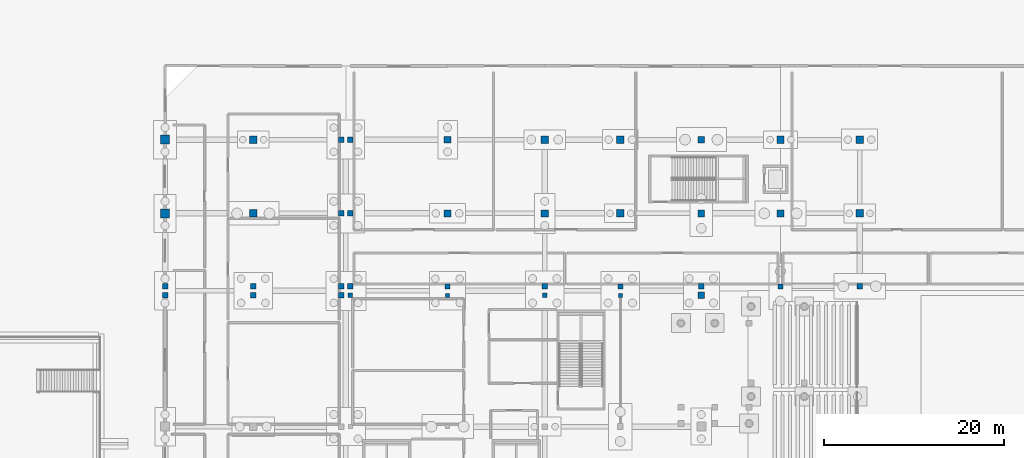
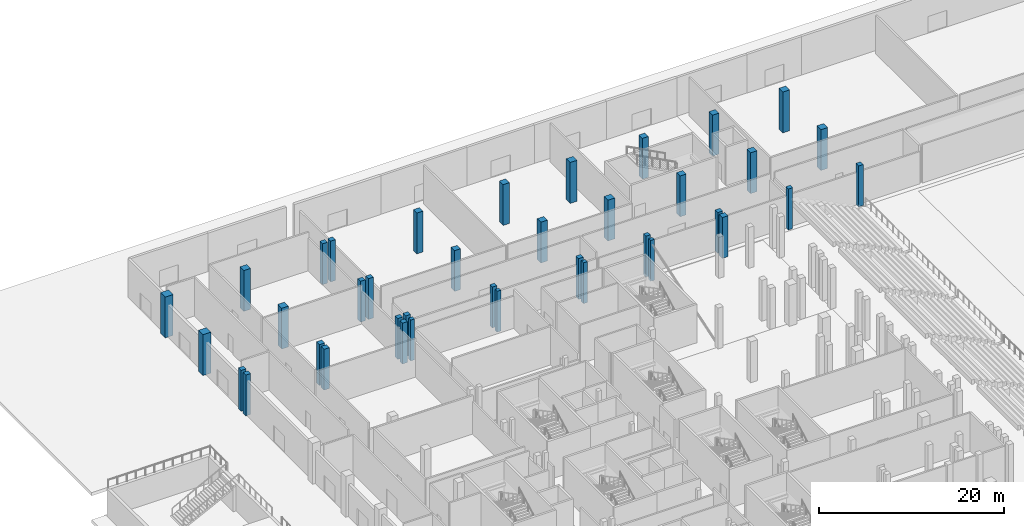
# One storey, part 18 of 89: 38 columns.
"""IFC4 building model written with IfcOpenShell, lengths in metres."""

from ifc_helpers import new_model, si_unit, direction, frame, origin, origin_2d, place, context, subcontext, project, spatial, rectangle, extrude, material, material_profile, profile_set, type_object, element, save


model = new_model("IFC4")

# Units and contexts
model_context = context("Model", 3, precision=1e-05, world=origin(), true_north=direction((0.0, 1.0)))
body_context = subcontext(model_context, "Body", "Model", "MODEL_VIEW")
ifc_project = project(units=[si_unit("LENGTHUNIT", "METRE"), si_unit("AREAUNIT", "SQUARE_METRE"), si_unit("VOLUMEUNIT", "CUBIC_METRE"), si_unit("PLANEANGLEUNIT", "RADIAN"), si_unit("MASSUNIT", "GRAM", prefix="KILO")], contexts=[model_context])

# Site, building, storey
site_placement = place(None, origin())
site = spatial("IfcSite", under=ifc_project, at=site_placement, CompositionType="ELEMENT")
building_placement = place(site_placement, origin())
building = spatial("IfcBuilding", under=site, at=building_placement, Name="Koshinbarg Plaza Stadium", CompositionType="ELEMENT")
storey_placement = place(building_placement, origin())
storey = spatial("IfcBuildingStorey", under=building, at=storey_placement, Name="L00", CompositionType="ELEMENT", Elevation=0.0)

# Columns
ifc_material = material(Name="Concrete C40/50", Category="concrete")
ifc_material_profile_1 = material_profile(ifc_material, rectangle(XDim=0.449951171875, YDim=0.449951171875, at=origin_2d()), Name="RC 450x450")
ifc_profile_set_1 = profile_set([ifc_material_profile_1], Name="Concrete C40/50")
column_type_1 = type_object("IfcColumnType", Name="COL-RC-01", PredefinedType="COLUMN", material=ifc_profile_set_1)
for number, where, z_axis, x_axis, name in (
    (1, (35.39990234375, 126.5, 0.0), (0.0, 0.0, 1.0), (1.0, 0.0, 0.0), "L00 column 6/R"),
    (2, (54.60009765625, 126.5, 0.0), (0.0, 0.0, 1.0), (1.0, 0.0, 0.0), "L00 column 8/R"),
):
    element("IfcColumn", number, at=place(storey_placement, frame(where, z_axis=z_axis, x_axis=x_axis)), inside=storey, type_object=column_type_1, Name=name, PredefinedType="COLUMN", context=body_context, shape_type="SweptSolid", body=[
        extrude(rectangle(XDim=0.449951171875, YDim=0.449951171875, at=origin_2d()), origin(), (0.0, 0.0, 1.0), 5.39990234375),
    ])
ifc_material_profile_2 = material_profile(ifc_material, rectangle(XDim=0.5, YDim=0.5, at=origin_2d()), Name="RC 500x500")
ifc_profile_set_2 = profile_set([ifc_material_profile_2], Name="Concrete C40/50")
column_type_2 = type_object("IfcColumnType", Name="COL-RC-02", PredefinedType="COLUMN", material=ifc_profile_set_2)
for number, where, z_axis, x_axis, name in (
    (3, (24.60009765625, 126.5, 0.0), (0.0, 0.0, 1.0), (1.0, 0.0, 0.0), "L00 column 5/R"),
    (4, (46.199951171875, 126.5, 0.0), (0.0, 0.0, 1.0), (1.0, 0.0, 0.0), "L00 column 7/R"),
):
    element("IfcColumn", number, at=place(storey_placement, frame(where, z_axis=z_axis, x_axis=x_axis)), inside=storey, type_object=column_type_2, Name=name, PredefinedType="COLUMN", context=body_context, shape_type="SweptSolid", body=[
        extrude(rectangle(XDim=0.5, YDim=0.5, at=origin_2d()), origin(), (0.0, 0.0, 1.0), 5.39990234375),
    ])
ifc_material_profile_3 = material_profile(ifc_material, rectangle(XDim=0.550048828125, YDim=0.550048828125, at=origin_2d()), Name="RC 550x550")
ifc_profile_set_3 = profile_set([ifc_material_profile_3], Name="Concrete C40/50")
column_type_3 = type_object("IfcColumnType", Name="COL-RC-03", PredefinedType="COLUMN", material=ifc_profile_set_3)
for number, where, z_axis, x_axis, name in (
    (5, (72.39990234375, 127.5, 0.0), (0.0, 0.0, 1.0), (1.0, 0.0, 0.0), "L00 column 10/S"),
    (6, (35.39990234375, 127.5, 0.0), (0.0, 0.0, 1.0), (1.0, 0.0, 0.0), "L00 column 6/S"),
    (7, (54.60009765625, 127.5, 0.0), (0.0, 0.0, 1.0), (1.0, 0.0, 0.0), "L00 column 8/S"),
):
    element("IfcColumn", number, at=place(storey_placement, frame(where, z_axis=z_axis, x_axis=x_axis)), inside=storey, type_object=column_type_3, Name=name, PredefinedType="COLUMN", context=body_context, shape_type="SweptSolid", body=[
        extrude(rectangle(XDim=0.550048828125, YDim=0.550048828125, at=origin_2d()), origin(), (0.0, 0.0, 1.0), 5.39990234375),
    ])
ifc_material_profile_4 = material_profile(ifc_material, rectangle(XDim=0.60009765625, YDim=0.60009765625, at=origin_2d()), Name="RC 600x600")
ifc_profile_set_4 = profile_set([ifc_material_profile_4], Name="Concrete C40/50")
column_type_4 = type_object("IfcColumnType", Name="COL-RC-04", PredefinedType="COLUMN", material=ifc_profile_set_4)
for number, where, z_axis, x_axis, name in (
    (8, (81.199951171875, 127.5, 0.0), (0.0, 0.0, 1.0), (1.0, 0.0, 0.0), "L00 column 11/S"),
    (9, (4.0, 126.5, 0.0), (0.0, 0.0, 1.0), (1.0, 0.0, 0.0), "L00 column 2/R"),
    (10, (4.0, 127.5, 0.0), (0.0, 0.0, 1.0), (1.0, 0.0, 0.0), "L00 column 2/S"),
    (11, (23.60009765625, 126.5, 0.0), (0.0, 0.0, 1.0), (1.0, 0.0, 0.0), "L00 column 4/R"),
    (12, (23.60009765625, 127.5, 0.0), (0.0, 0.0, 1.0), (1.0, 0.0, 0.0), "L00 column 4/S"),
    (13, (23.60009765625, 135.60009765625, 0.0), (0.0, 0.0, 1.0), (1.0, 0.0, 0.0), "L00 column 4/T"),
    (14, (23.60009765625, 143.800048828125, 0.0), (0.0, 0.0, 1.0), (1.0, 0.0, 0.0), "L00 column 4/U"),
    (15, (24.60009765625, 127.5, 0.0), (0.0, 0.0, 1.0), (1.0, 0.0, 0.0), "L00 column 5/S"),
    (16, (24.60009765625, 135.60009765625, 0.0), (0.0, 0.0, 1.0), (1.0, 0.0, 0.0), "L00 column 5/T"),
    (17, (24.60009765625, 143.800048828125, 0.0), (0.0, 0.0, 1.0), (1.0, 0.0, 0.0), "L00 column 5/U"),
    (18, (46.199951171875, 127.5, 0.0), (0.0, 0.0, 1.0), (1.0, 0.0, 0.0), "L00 column 7/S"),
    (19, (63.60009765625, 127.5, 0.0), (0.0, 0.0, 1.0), (1.0, 0.0, 0.0), "L00 column 9/S"),
):
    element("IfcColumn", number, at=place(storey_placement, frame(where, z_axis=z_axis, x_axis=x_axis)), inside=storey, type_object=column_type_4, Name=name, PredefinedType="COLUMN", context=body_context, shape_type="SweptSolid", body=[
        extrude(rectangle(XDim=0.60009765625, YDim=0.60009765625, at=origin_2d()), origin(), (0.0, 0.0, 1.0), 5.39990234375),
    ])
ifc_material_profile_5 = material_profile(ifc_material, rectangle(XDim=0.64990234375, YDim=0.64990234375, at=origin_2d()), Name="RC 650x650")
ifc_profile_set_5 = profile_set([ifc_material_profile_5], Name="Concrete C40/50")
column_type_5 = type_object("IfcColumnType", Name="COL-RC-05", PredefinedType="COLUMN", material=ifc_profile_set_5)
for number, where, z_axis, x_axis, name in (
    (20, (13.800048828125, 126.5, 0.0), (0.0, 0.0, 1.0), (1.0, 0.0, 0.0), "L00 column 3/R"),
    (21, (13.800048828125, 127.5, 0.0), (0.0, 0.0, 1.0), (1.0, 0.0, 0.0), "L00 column 3/S"),
):
    element("IfcColumn", number, at=place(storey_placement, frame(where, z_axis=z_axis, x_axis=x_axis)), inside=storey, type_object=column_type_5, Name=name, PredefinedType="COLUMN", context=body_context, shape_type="SweptSolid", body=[
        extrude(rectangle(XDim=0.64990234375, YDim=0.64990234375, at=origin_2d()), origin(), (0.0, 0.0, 1.0), 5.39990234375),
    ])
ifc_material_profile_6 = material_profile(ifc_material, rectangle(XDim=0.699951171875, YDim=0.699951171875, at=origin_2d()), Name="RC 700x700")
ifc_profile_set_6 = profile_set([ifc_material_profile_6], Name="Concrete C40/50")
column_type_6 = type_object("IfcColumnType", Name="COL-RC-06", PredefinedType="COLUMN", material=ifc_profile_set_6)
column_placement = place(storey_placement, frame((63.60009765625, 126.5, 0.0), z_axis=(0.0, 0.0, 1.0), x_axis=(1.0, 0.0, 0.0)))
element("IfcColumn", 22, at=column_placement, inside=storey, type_object=column_type_6, Name="L00 column 9/R", PredefinedType="COLUMN", context=body_context, shape_type="SweptSolid", body=[
    extrude(rectangle(XDim=0.699951171875, YDim=0.699951171875, at=origin_2d()), origin(), (0.0, 0.0, 1.0), 5.39990234375),
])
ifc_material_profile_7 = material_profile(ifc_material, rectangle(XDim=0.75, YDim=0.75, at=origin_2d()), Name="RC 750x750")
ifc_profile_set_7 = profile_set([ifc_material_profile_7], Name="Concrete C40/50")
column_type_7 = type_object("IfcColumnType", Name="COL-RC-07", PredefinedType="COLUMN", material=ifc_profile_set_7)
for number, where, z_axis, x_axis, name in (
    (23, (35.39990234375, 135.60009765625, 0.0), (0.0, 0.0, 1.0), (1.0, 0.0, 0.0), "L00 column 6/T"),
    (24, (35.39990234375, 143.800048828125, 0.0), (0.0, 0.0, 1.0), (1.0, 0.0, 0.0), "L00 column 6/U"),
    (25, (63.60009765625, 135.60009765625, 0.0), (0.0, 0.0, 1.0), (1.0, 0.0, 0.0), "L00 column 9/T"),
    (26, (63.60009765625, 143.800048828125, 0.0), (0.0, 0.0, 1.0), (1.0, 0.0, 0.0), "L00 column 9/U"),
):
    element("IfcColumn", number, at=place(storey_placement, frame(where, z_axis=z_axis, x_axis=x_axis)), inside=storey, type_object=column_type_7, Name=name, PredefinedType="COLUMN", context=body_context, shape_type="SweptSolid", body=[
        extrude(rectangle(XDim=0.75, YDim=0.75, at=origin_2d()), origin(), (0.0, 0.0, 1.0), 5.39990234375),
    ])
ifc_material_profile_8 = material_profile(ifc_material, rectangle(XDim=0.800048828125, YDim=0.800048828125, at=origin_2d()), Name="RC 800x800")
ifc_profile_set_8 = profile_set([ifc_material_profile_8], Name="Concrete C40/50")
column_type_8 = type_object("IfcColumnType", Name="COL-RC-08", PredefinedType="COLUMN", material=ifc_profile_set_8)
for number, where, z_axis, x_axis, name in (
    (27, (72.39990234375, 135.60009765625, 0.0), (0.0, 0.0, 1.0), (1.0, 0.0, 0.0), "L00 column 10/T"),
    (28, (72.39990234375, 143.800048828125, 0.0), (0.0, 0.0, 1.0), (1.0, 0.0, 0.0), "L00 column 10/U"),
    (29, (46.199951171875, 135.60009765625, 0.0), (0.0, 0.0, 1.0), (1.0, 0.0, 0.0), "L00 column 7/T"),
    (30, (46.199951171875, 143.800048828125, 0.0), (0.0, 0.0, 1.0), (1.0, 0.0, 0.0), "L00 column 7/U"),
):
    element("IfcColumn", number, at=place(storey_placement, frame(where, z_axis=z_axis, x_axis=x_axis)), inside=storey, type_object=column_type_8, Name=name, PredefinedType="COLUMN", context=body_context, shape_type="SweptSolid", body=[
        extrude(rectangle(XDim=0.800048828125, YDim=0.800048828125, at=origin_2d()), origin(), (0.0, 0.0, 1.0), 5.39990234375),
    ])
ifc_material_profile_9 = material_profile(ifc_material, rectangle(XDim=0.85009765625, YDim=0.85009765625, at=origin_2d()), Name="RC 850x850")
ifc_profile_set_9 = profile_set([ifc_material_profile_9], Name="Concrete C40/50")
column_type_9 = type_object("IfcColumnType", Name="COL-RC-09", PredefinedType="COLUMN", material=ifc_profile_set_9)
for number, where, z_axis, x_axis, name in (
    (31, (81.199951171875, 135.60009765625, 0.0), (0.0, 0.0, 1.0), (1.0, 0.0, 0.0), "L00 column 11/T"),
    (32, (81.199951171875, 143.800048828125, 0.0), (0.0, 0.0, 1.0), (1.0, 0.0, 0.0), "L00 column 11/U"),
    (33, (13.800048828125, 135.60009765625, 0.0), (0.0, 0.0, 1.0), (1.0, 0.0, 0.0), "L00 column 3/T"),
    (34, (13.800048828125, 143.800048828125, 0.0), (0.0, 0.0, 1.0), (1.0, 0.0, 0.0), "L00 column 3/U"),
    (35, (54.60009765625, 135.60009765625, 0.0), (0.0, 0.0, 1.0), (1.0, 0.0, 0.0), "L00 column 8/T"),
    (36, (54.60009765625, 143.800048828125, 0.0), (0.0, 0.0, 1.0), (1.0, 0.0, 0.0), "L00 column 8/U"),
):
    element("IfcColumn", number, at=place(storey_placement, frame(where, z_axis=z_axis, x_axis=x_axis)), inside=storey, type_object=column_type_9, Name=name, PredefinedType="COLUMN", context=body_context, shape_type="SweptSolid", body=[
        extrude(rectangle(XDim=0.85009765625, YDim=0.85009765625, at=origin_2d()), origin(), (0.0, 0.0, 1.0), 5.39990234375),
    ])
ifc_material_profile_10 = material_profile(ifc_material, rectangle(XDim=1.0, YDim=1.0, at=origin_2d()), Name="RC 1000x1000")
ifc_profile_set_10 = profile_set([ifc_material_profile_10], Name="Concrete C40/50")
column_type_10 = type_object("IfcColumnType", Name="COL-RC-11", PredefinedType="COLUMN", material=ifc_profile_set_10)
for number, where, z_axis, x_axis, name in (
    (37, (4.0, 135.60009765625, 0.0), (0.0, 0.0, 1.0), (1.0, 0.0, 0.0), "L00 column 2/T"),
    (38, (4.0, 143.800048828125, 0.0), (0.0, 0.0, 1.0), (1.0, 0.0, 0.0), "L00 column 2/U"),
):
    element("IfcColumn", number, at=place(storey_placement, frame(where, z_axis=z_axis, x_axis=x_axis)), inside=storey, type_object=column_type_10, Name=name, PredefinedType="COLUMN", context=body_context, shape_type="SweptSolid", body=[
        extrude(rectangle(XDim=1.0, YDim=1.0, at=origin_2d()), origin(), (0.0, 0.0, 1.0), 5.39990234375),
    ])

save(model, "model.ifc")
